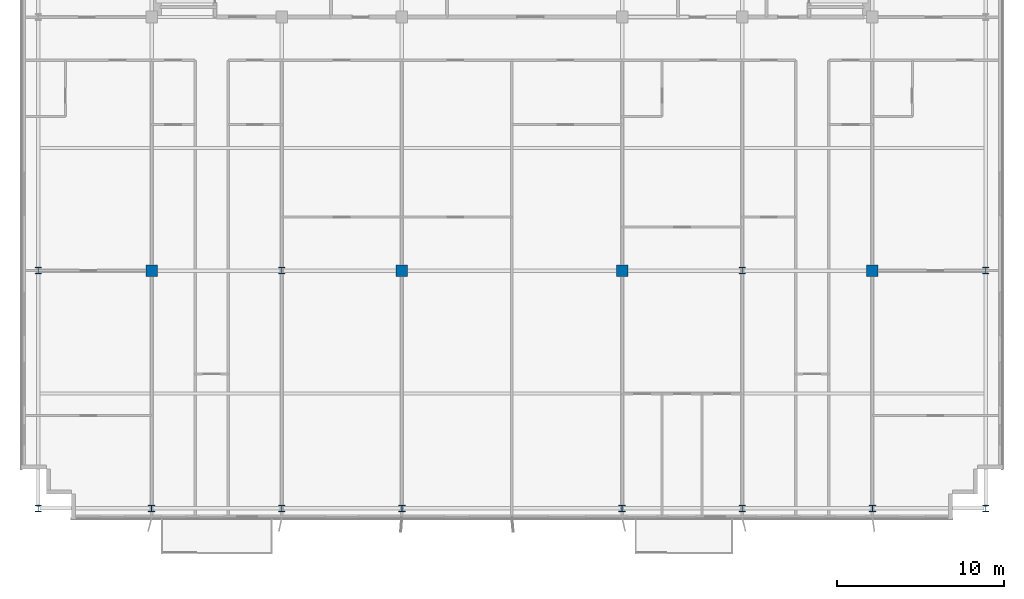
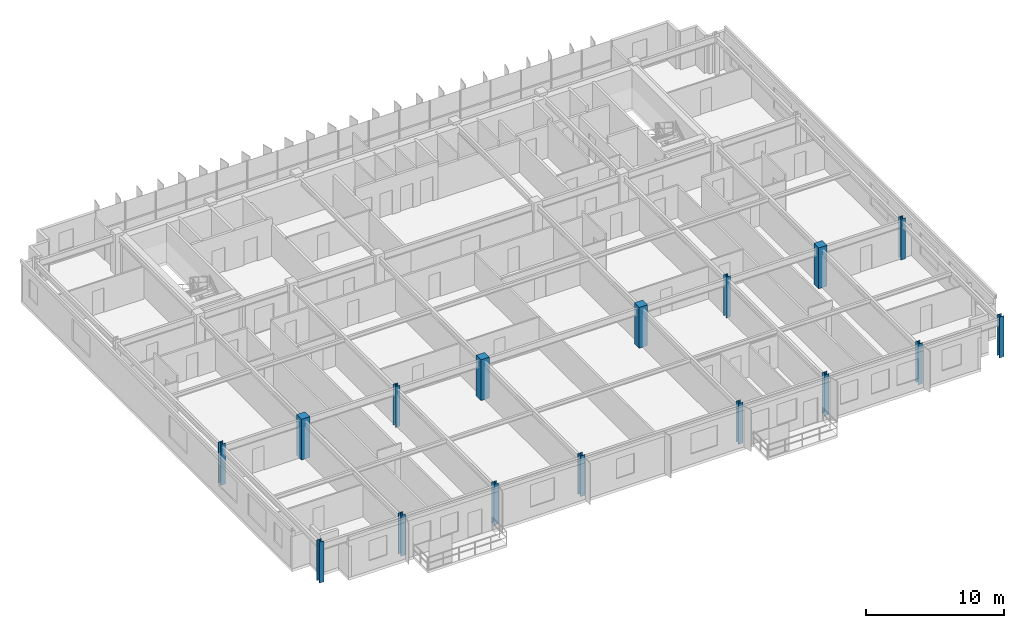
# One storey, part 1 of 20: 16 columns.
"""IFC4 building model written with IfcOpenShell, lengths in metres."""

from ifc_helpers import new_model, si_unit, direction, frame, origin, origin_2d, place, context, subcontext, project, spatial, rectangle, i_section, extrude, source, transform, mapped, material, material_profile, profile_set, type_object, element, save


model = new_model("IFC4")

# Units and contexts
model_context = context("Model", 3, precision=1e-05, world=origin(), true_north=direction((0.0, 1.0)))
body_context = subcontext(model_context, "Body", "Model", "MODEL_VIEW")
ifc_project = project(units=[si_unit("LENGTHUNIT", "METRE"), si_unit("AREAUNIT", "SQUARE_METRE"), si_unit("VOLUMEUNIT", "CUBIC_METRE"), si_unit("PLANEANGLEUNIT", "RADIAN"), si_unit("MASSUNIT", "GRAM", prefix="KILO")], contexts=[model_context])

# Site, building, storey
site_placement = place(None, origin())
site = spatial("IfcSite", under=ifc_project, at=site_placement, CompositionType="ELEMENT")
building_placement = place(site_placement, origin())
building = spatial("IfcBuilding", under=site, at=building_placement, Name="Trelvane Seafront Commons", CompositionType="ELEMENT")
storey_placement = place(building_placement, frame((0.0, 0.0, 168.10009765625)))
storey = spatial("IfcBuildingStorey", under=building, at=storey_placement, Name="L44", CompositionType="ELEMENT", Elevation=168.10009765625)

# Columns
ifc_material_1 = material(Name="Steel SM355 (S355)", Category="steel")
ifc_material_profile_1 = material_profile(ifc_material_1, i_section(OverallWidth=0.3798828125, OverallDepth=0.3798828125, WebThickness=0.02001953125, FlangeThickness=0.030029296875, at=origin_2d()), Name="HD-380x380x20x30")
ifc_profile_set_1 = profile_set([ifc_material_profile_1], Name="Steel SM355 (S355)")
column_type_1 = type_object("IfcColumnType", Name="STR-COL-HD380", PredefinedType="COLUMN", material=ifc_profile_set_1)
shared_shape_1 = source(origin(), body_context, "Body", "SweptSolid", [
    extrude(i_section(OverallWidth=0.3798828125, OverallDepth=0.3798828125, WebThickness=0.02001953125, FlangeThickness=0.030029296875, at=origin_2d()), origin(), (0.0, 0.0, 1.0), 3.599853515625),
])
for number, where, z_axis, x_axis, name in (
    (1, (8.800048828125, 3.949951171875, 0.0), (0.0, 0.0, 1.0), (1.0, 0.0, 0.0), "L44 Column TC-S8.8"),
    (2, (8.800048828125, 18.199951171875, 0.0), (0.0, 0.0, 1.0), (1.0, 0.0, 0.0), "L44 Column TC-M8.8"),
    (3, (15.60009765625, 3.949951171875, 0.0), (0.0, 0.0, 1.0), (1.0, 0.0, 0.0), "L44 Column TC-S15.6"),
    (4, (23.39990234375, 3.949951171875, 0.0), (0.0, 0.0, 1.0), (1.0, 0.0, 0.0), "L44 Column TC-S23.4"),
    (5, (23.39990234375, 18.199951171875, 0.0), (0.0, 0.0, 1.0), (1.0, 0.0, 0.0), "L44 Column TC-M23.4"),
    (6, (30.60009765625, 3.949951171875, 0.0), (0.0, 0.0, 1.0), (1.0, 0.0, 0.0), "L44 Column TC-S30.6"),
    (7, (43.800048828125, 3.949951171875, 0.0), (0.0, 0.0, 1.0), (1.0, 0.0, 0.0), "L44 Column TC-S43.8"),
    (8, (51.0, 3.949951171875, 0.0), (0.0, 0.0, 1.0), (1.0, 0.0, 0.0), "L44 Column TC-S51.0"),
    (9, (51.0, 18.199951171875, 0.0), (0.0, 0.0, 1.0), (1.0, 0.0, 0.0), "L44 Column TC-M51.0"),
    (10, (58.800048828125, 3.949951171875, 0.0), (0.0, 0.0, 1.0), (1.0, 0.0, 0.0), "L44 Column TC-S58.8"),
    (11, (65.60009765625, 3.949951171875, 0.0), (0.0, 0.0, 1.0), (1.0, 0.0, 0.0), "L44 Column TC-S65.6"),
    (12, (65.60009765625, 18.199951171875, 0.0), (0.0, 0.0, 1.0), (1.0, 0.0, 0.0), "L44 Column TC-M65.6"),
):
    element("IfcColumn", number, at=place(storey_placement, frame(where, z_axis=z_axis, x_axis=x_axis)), inside=storey, type_object=column_type_1, Name=name, PredefinedType="COLUMN", context=body_context, shape_type="MappedRepresentation", body=[
        mapped(shared_shape_1, transform((0.0, 0.0, 0.0), x_axis=(1.0, 0.0, 0.0), y_axis=(0.0, 1.0, 0.0), z_axis=(0.0, 0.0, 1.0), scale=1.0)),
    ])
ifc_material_2 = material(Name="Concrete C50/60", Category="concrete")
ifc_material_profile_2 = material_profile(ifc_material_2, rectangle(XDim=0.699951171875, YDim=0.699951171875, at=origin_2d()), Name="RC-700x700")
ifc_profile_set_2 = profile_set([ifc_material_profile_2], Name="Concrete C50/60")
column_type_2 = type_object("IfcColumnType", Name="STR-COL-RC700", PredefinedType="COLUMN", material=ifc_profile_set_2)
shared_shape_2 = source(origin(), body_context, "Body", "SweptSolid", [
    extrude(rectangle(XDim=0.699951171875, YDim=0.699951171875, at=origin_2d()), origin(), (0.0, 0.0, 1.0), 3.599853515625),
])
for number, where, z_axis, x_axis, name in (
    (13, (15.60009765625, 18.199951171875, 0.0), (0.0, 0.0, 1.0), (1.0, 0.0, 0.0), "L44 Column TC-M15.6"),
    (14, (30.60009765625, 18.199951171875, 0.0), (0.0, 0.0, 1.0), (1.0, 0.0, 0.0), "L44 Column TC-M30.6"),
    (15, (43.800048828125, 18.199951171875, 0.0), (0.0, 0.0, 1.0), (1.0, 0.0, 0.0), "L44 Column TC-M43.8"),
    (16, (58.800048828125, 18.199951171875, 0.0), (0.0, 0.0, 1.0), (1.0, 0.0, 0.0), "L44 Column TC-M58.8"),
):
    element("IfcColumn", number, at=place(storey_placement, frame(where, z_axis=z_axis, x_axis=x_axis)), inside=storey, type_object=column_type_2, Name=name, PredefinedType="COLUMN", context=body_context, shape_type="MappedRepresentation", body=[
        mapped(shared_shape_2, transform((0.0, 0.0, 0.0), x_axis=(1.0, 0.0, 0.0), y_axis=(0.0, 1.0, 0.0), z_axis=(0.0, 0.0, 1.0), scale=1.0)),
    ])

save(model, "model.ifc")
